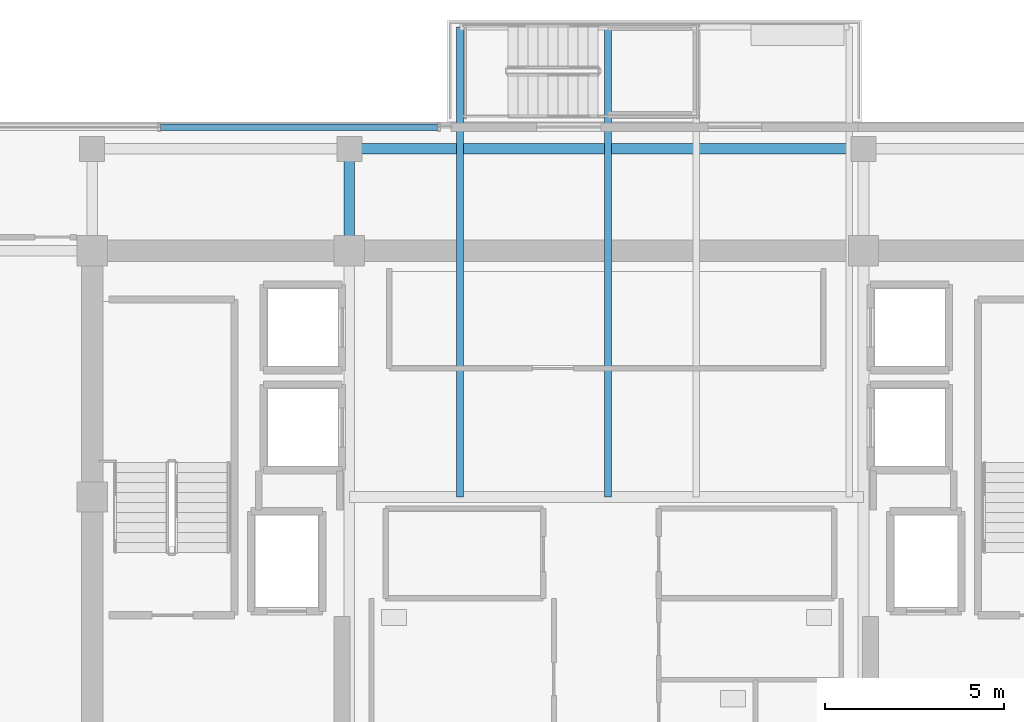
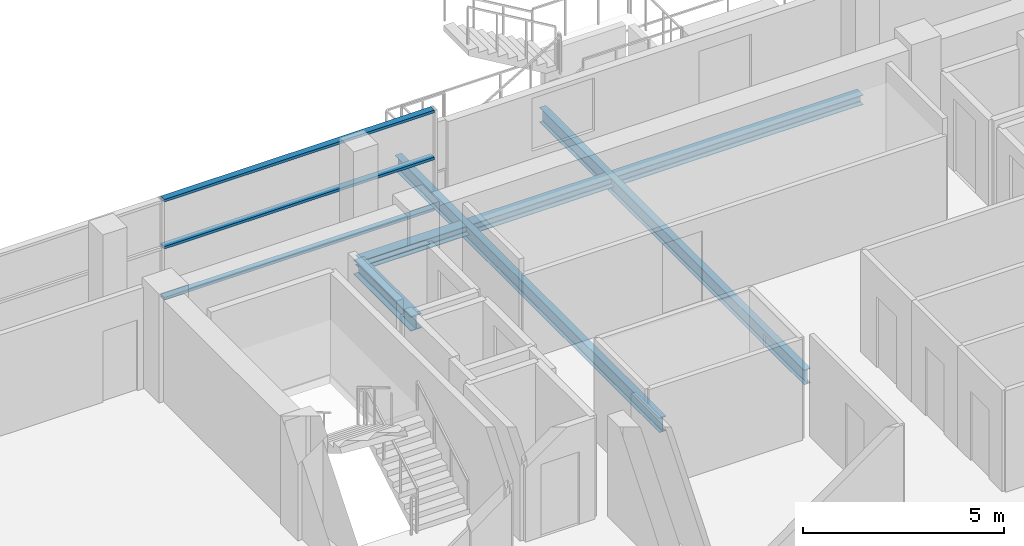
# One storey, part 13 of 24: 4 beams, 3 members, 1 element without a shape of its own.
"""IFC4 building model written with IfcOpenShell, lengths in metres."""

from ifc_helpers import new_model, si_unit, direction, frame, origin, origin_2d, place, context, subcontext, project, spatial, hollow_rectangle, i_section, extrude, source, transform, mapped, material, layer, layer_set, material_profile, profile_set, type_object, element, aggregate, save


model = new_model("IFC4")

# Units and contexts
model_context = context("Model", 3, precision=1e-05, world=origin(), true_north=direction((0.0, 1.0)))
body_context = subcontext(model_context, "Body", "Model", "MODEL_VIEW")
ifc_project = project(units=[si_unit("LENGTHUNIT", "METRE"), si_unit("AREAUNIT", "SQUARE_METRE"), si_unit("VOLUMEUNIT", "CUBIC_METRE"), si_unit("PLANEANGLEUNIT", "RADIAN"), si_unit("MASSUNIT", "GRAM", prefix="KILO")], contexts=[model_context])

# Site, building, storey
site_placement = place(None, origin())
site = spatial("IfcSite", under=ifc_project, at=site_placement, CompositionType="ELEMENT")
building_placement = place(site_placement, origin())
building = spatial("IfcBuilding", under=site, at=building_placement, Name="Zarnakvel Exchange Tower", CompositionType="ELEMENT")
storey_placement = place(building_placement, frame((0.0, 0.0, 205.60009765625)))
storey = spatial("IfcBuildingStorey", under=building, at=storey_placement, Name="L57", CompositionType="ELEMENT", Elevation=205.60009765625)

# Beams
ifc_material_1 = material(Name="Steel S355", Category="steel")
ifc_material_profile_1 = material_profile(ifc_material_1, i_section(OverallWidth=0.18994140625, OverallDepth=0.449951171875, WebThickness=0.009521484375, FlangeThickness=0.0146484375, FilletRadius=0.02099609375, at=origin_2d()))
ifc_profile_set_1 = profile_set([ifc_material_profile_1], Name="Steel S355")
beam_type_1 = type_object("IfcBeamType", Name="B-05", PredefinedType="JOIST", material=ifc_profile_set_1)
for number, where, z_axis, x_axis, name in (
    (1, (-4.10009765625, 6.60009765625, -0.47509765625), (0.0, 1.0, 0.0), (-1.0, 0.0, 0.0), "L57 Continuous North Spiral Terrace Beam W"),
    (2, (0.050048828125, 6.60009765625, -0.47509765625), (0.0, 1.0, 0.0), (-1.0, 0.0, 0.0), "L57 Terrace Stair Plinth Beam W"),
):
    element("IfcBeam", number, at=place(storey_placement, frame(where, z_axis=z_axis, x_axis=x_axis)), inside=storey, type_object=beam_type_1, Name=name, PredefinedType="JOIST", context=body_context, shape_type="SweptSolid", body=[
        extrude(i_section(OverallWidth=0.18994140625, OverallDepth=0.449951171875, WebThickness=0.009521484375, FlangeThickness=0.0146484375, FilletRadius=0.02099609375, at=origin_2d()), origin(), (0.0, 0.0, 1.0), 13.159912109375),
    ])
ifc_material_profile_2 = material_profile(ifc_material_1, i_section(OverallWidth=0.300048828125, OverallDepth=0.449951171875, WebThickness=0.013916015625, FlangeThickness=0.02587890625, FilletRadius=0.027099609375, at=origin_2d()))
ifc_profile_set_2 = profile_set([ifc_material_profile_2], Name="Steel S355")
beam_type_2 = type_object("IfcBeamType", Name="G-07", PredefinedType="BEAM", material=ifc_profile_set_2)
beam_1_placement = place(storey_placement, frame((-7.199951171875, 13.5, -0.47509765625), z_axis=(0.0, 1.0, 0.0), x_axis=(-1.0, 0.0, 0.0)))
element("IfcBeam", 3, at=beam_1_placement, inside=storey, type_object=beam_type_2, Name="L57 Tower N-S Frame Beam", PredefinedType="BEAM", context=body_context, shape_type="SweptSolid", body=[
    extrude(i_section(OverallWidth=0.300048828125, OverallDepth=0.449951171875, WebThickness=0.013916015625, FlangeThickness=0.02587890625, FilletRadius=0.027099609375, at=origin_2d()), origin(), (0.0, 0.0, 1.0), 2.85009765625),
])
ifc_material_profile_3 = material_profile(ifc_material_1, i_section(OverallWidth=0.300048828125, OverallDepth=0.300048828125, WebThickness=0.010986328125, FlangeThickness=0.01904296875, FilletRadius=0.027099609375, at=origin_2d()))
ifc_profile_set_3 = profile_set([ifc_material_profile_3], Name="Steel S355")
beam_type_3 = type_object("IfcBeamType", Name="SP-03", PredefinedType="SPANDREL", material=ifc_profile_set_3)
beam_2_placement = place(storey_placement, frame((-7.199951171875, 16.35009765625, -0.400146484375), z_axis=(1.0, 0.0, 0.0), x_axis=(0.0, 1.0, 0.0)))
element("IfcBeam", 4, at=beam_2_placement, inside=storey, type_object=beam_type_3, Name="L57 Tower E-W Frame Beam", PredefinedType="SPANDREL", context=body_context, shape_type="SweptSolid", body=[
    extrude(i_section(OverallWidth=0.300048828125, OverallDepth=0.300048828125, WebThickness=0.010986328125, FlangeThickness=0.01904296875, FilletRadius=0.027099609375, at=origin_2d()), origin(), (0.0, 0.0, 1.0), 14.39990234375),
])

# Curtain wall, members
ifc_material_2 = material(Name="Architectural Bronze Anodised Aluminium", Category="aluminium")
ifc_layer = layer(ifc_material_2, 0.219970703125)
ifc_layer_set = layer_set([ifc_layer], Name="Architectural Bronze Anodised Aluminium")
curtain_wall_type = type_object("IfcCurtainWallType", Name="CW-03", PredefinedType="NOTDEFINED", material=ifc_layer_set)
curtain_wall_placement = place(storey_placement, origin())
curtain_wall = element("IfcCurtainWall", 5, at=curtain_wall_placement, inside=storey, type_object=curtain_wall_type, Name="L57 Curtain Wall CW-L57-N1 (CW-03)", PredefinedType="NOTDEFINED")
ifc_material_profile_4 = material_profile(ifc_material_2, hollow_rectangle(XDim=0.179931640625, YDim=0.080078125, WallThickness=0.00390625, at=origin_2d()))
ifc_profile_set_4 = profile_set([ifc_material_profile_4], Name="Architectural Bronze Anodised Aluminium")
member_type = type_object("IfcMemberType", Name="CWT-03", PredefinedType="USERDEFINED", material=ifc_profile_set_4)
shared_shape = source(origin(), body_context, "Body", "SweptSolid", [
    extrude(hollow_rectangle(XDim=0.179931640625, YDim=0.080078125, WallThickness=0.00390625, at=origin_2d()), origin(), (0.0, 0.0, 1.0), 7.755126953125),
])
member_1_placement = place(storey_placement, frame((-12.485107421875, 16.9599609375, 0.039794921875), z_axis=(1.0, 0.0, 0.0), x_axis=(0.0, 1.0, 0.0)))
member_1 = element("IfcMember", 6, at=member_1_placement, type_object=member_type, Name="CW-03 transom 2.1", ObjectType="TRANSOM", PredefinedType="USERDEFINED", context=body_context, shape_type="MappedRepresentation", body=[
    mapped(shared_shape, transform((0.0, 0.0, 0.0), x_axis=(1.0, 0.0, 0.0), y_axis=(0.0, 1.0, 0.0), z_axis=(0.0, 0.0, 1.0), scale=1.0)),
])
member_2_placement = place(storey_placement, frame((-12.485107421875, 16.9599609375, 1.588623046875), z_axis=(1.0, 0.0, 0.0), x_axis=(0.0, 1.0, 0.0)))
member_2 = element("IfcMember", 7, at=member_2_placement, type_object=member_type, Name="CW-03 transom 2.2", ObjectType="TRANSOM", PredefinedType="USERDEFINED", context=body_context, shape_type="MappedRepresentation", body=[
    mapped(shared_shape, transform((0.0, 0.0, 0.0), x_axis=(1.0, 0.0, 0.0), y_axis=(0.0, 1.0, 0.0), z_axis=(0.0, 0.0, 1.0), scale=1.0)),
])
member_3_placement = place(storey_placement, frame((-12.485107421875, 16.9599609375, 3.014892578125), z_axis=(1.0, 0.0, 0.0), x_axis=(0.0, 1.0, 0.0)))
member_3 = element("IfcMember", 8, at=member_3_placement, type_object=member_type, Name="CW-03 transom 2.3", ObjectType="TRANSOM", PredefinedType="USERDEFINED", context=body_context, shape_type="MappedRepresentation", body=[
    mapped(shared_shape, transform((0.0, 0.0, 0.0), x_axis=(1.0, 0.0, 0.0), y_axis=(0.0, 1.0, 0.0), z_axis=(0.0, 0.0, 1.0), scale=1.0)),
])
aggregate(curtain_wall, [member_1, member_2, member_3])

save(model, "model.ifc")
